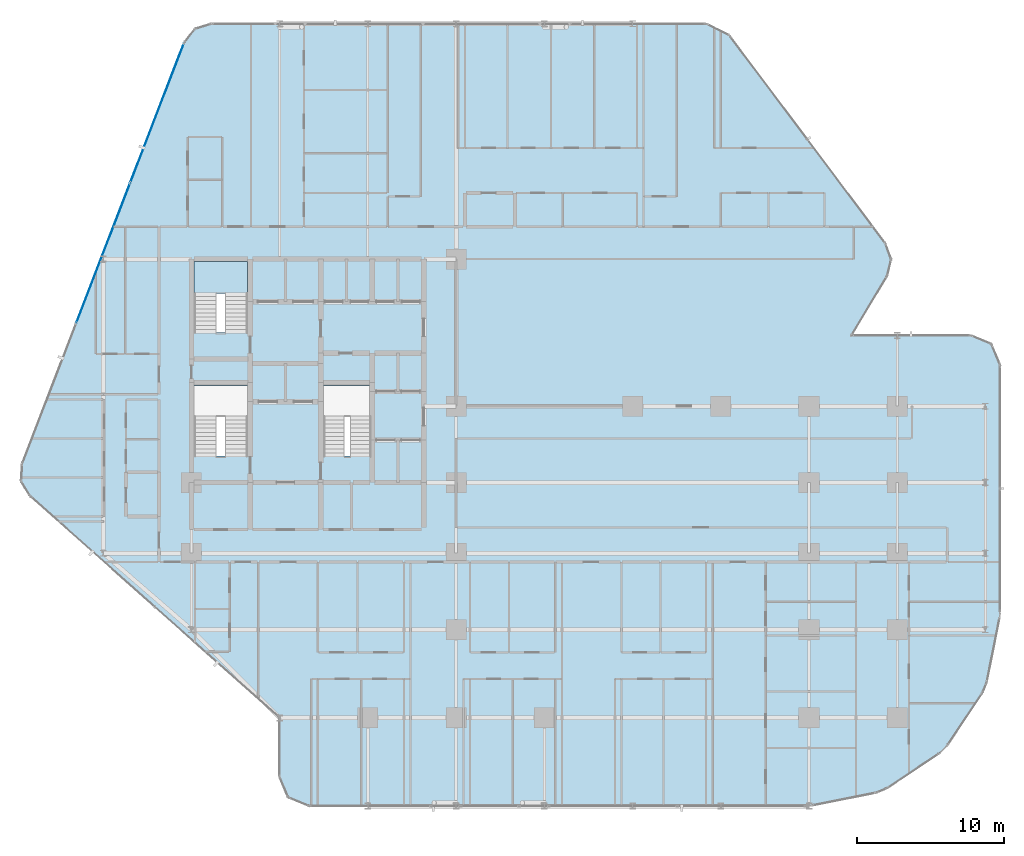
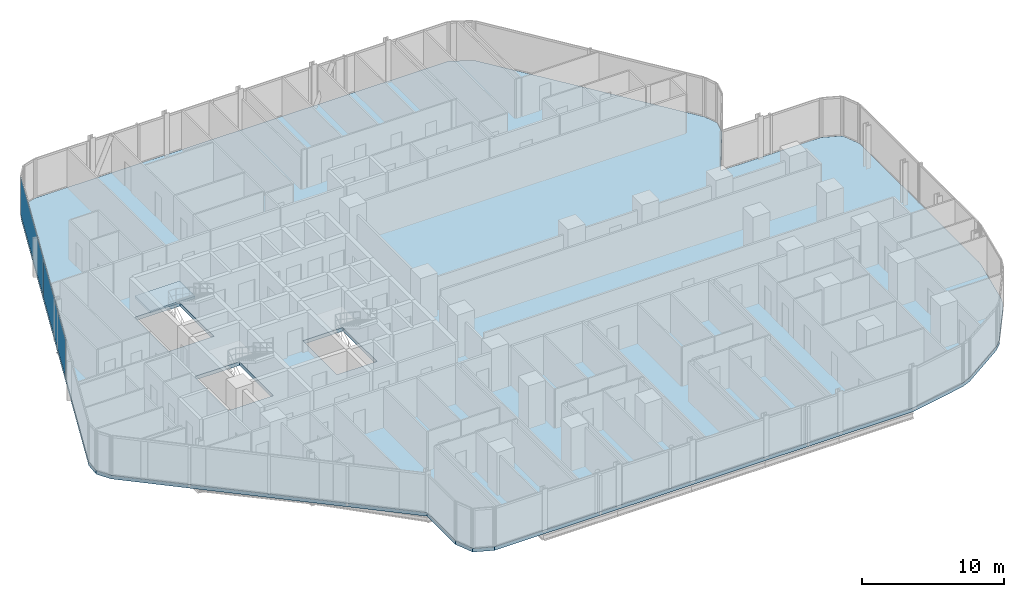
# One storey, part 23 of 34: 2 plates, 2 slabs, 2 elements without a shape of their own.
"""IFC4 building model written with IfcOpenShell, lengths in metres."""

from ifc_helpers import new_model, si_unit, direction, frame, origin, origin_2d, place, context, subcontext, project, spatial, polyline, rectangle, outline, extrude, material, layer, layer_set, type_object, element, aggregate, save


model = new_model("IFC4")

# Units and contexts
model_context = context("Model", 3, precision=1e-05, world=origin(), true_north=direction((0.0, 1.0)))
body_context = subcontext(model_context, "Body", "Model", "MODEL_VIEW")
ifc_project = project(units=[si_unit("LENGTHUNIT", "METRE"), si_unit("AREAUNIT", "SQUARE_METRE"), si_unit("VOLUMEUNIT", "CUBIC_METRE"), si_unit("PLANEANGLEUNIT", "RADIAN"), si_unit("MASSUNIT", "GRAM", prefix="KILO")], contexts=[model_context])

# Site, building, storey
site_placement = place(None, origin())
site = spatial("IfcSite", under=ifc_project, at=site_placement, CompositionType="ELEMENT")
building_placement = place(site_placement, origin())
building = spatial("IfcBuilding", under=site, at=building_placement, Name="Keshet Zoharim Tower", CompositionType="ELEMENT")
storey_placement = place(building_placement, frame((0.0, 0.0, 31.39990234375)))
storey = spatial("IfcBuildingStorey", under=building, at=storey_placement, Name="L06", CompositionType="ELEMENT", Elevation=31.39990234375)

# Curtain wall, plates
ifc_material_1 = material(Name="Aluminium 6063-T6", Category="aluminium")
ifc_layer_1 = layer(ifc_material_1, 0.179931640625)
ifc_layer_set_1 = layer_set([ifc_layer_1], Name="Aluminium 6063-T6")
curtain_wall_type = type_object("IfcCurtainWallType", Name="CW-SYS-01", PredefinedType="NOTDEFINED", material=ifc_layer_set_1)
curtain_wall_placement = place(storey_placement, origin())
curtain_wall = element("IfcCurtainWall", 1, at=curtain_wall_placement, inside=storey, type_object=curtain_wall_type, Name="L06 Unitised Curtain Wall 04", PredefinedType="NOTDEFINED")
ifc_material_2 = material(Name="Insulated Low-E Clear Glass", Category="glass")
ifc_layer_2 = layer(ifc_material_2, 0.035888671875)
ifc_layer_set_2 = layer_set([ifc_layer_2], Name="Insulated Low-E Clear Glass")
plate_type = type_object("IfcPlateType", Name="CWP-01", PredefinedType="CURTAIN_PANEL", material=ifc_layer_set_2)
plate_1_placement = place(storey_placement, frame((9.001953125, 38.305419921875, 0.070068359375), z_axis=(0.0, 0.0, 1.0), x_axis=(0.358990003907, 0.933341404361, 0.0)))
plate_1 = element("IfcPlate", 2, at=plate_1_placement, type_object=plate_type, Name="CW-01 panel 2.1", PredefinedType="CURTAIN_PANEL", context=body_context, shape_type="SweptSolid", body=[
    extrude(rectangle(XDim=10.153076171875, YDim=0.035888671875, at=origin_2d()), origin(), (0.0, 0.0, 1.0), 3.2451171875),
])
plate_2_placement = place(storey_placement, frame((12.665771484375, 47.830810546875, 0.070068359375), z_axis=(0.0, 0.0, 1.0), x_axis=(0.358990003907, 0.933341404361, 0.0)))
plate_2 = element("IfcPlate", 3, at=plate_2_placement, type_object=plate_type, Name="CW-01 panel 3.1", PredefinedType="CURTAIN_PANEL", context=body_context, shape_type="SweptSolid", body=[
    extrude(rectangle(XDim=10.1181640625, YDim=0.035888671875, at=origin_2d()), origin(), (0.0, 0.0, 1.0), 3.2451171875),
])
aggregate(curtain_wall, [plate_1, plate_2])

# Stair, slab
ifc_material_3 = material(Name="Concrete C50/60", Category="concrete")
stair_type = type_object("IfcStairType", Name="STR-EXIT-135", PredefinedType="HALF_TURN_STAIR", material=ifc_material_3)
stair_placement = place(storey_placement, origin())
stair = element("IfcStair", 4, at=stair_placement, inside=storey, type_object=stair_type, Name="L06 Enclosed Exit Stair ST-02", PredefinedType="HALF_TURN_STAIR")
ifc_layer_3 = layer(ifc_material_3, 0.199951171875)
ifc_layer_set_3 = layer_set([ifc_layer_3], Name="Concrete C50/60")
slab_type_1 = type_object("IfcSlabType", Name="SLB-LND-200", PredefinedType="LANDING", material=ifc_layer_set_3)
slab_1_placement = place(storey_placement, frame((0.0, 0.0, 1.650146484375)))
slab_1 = element("IfcSlab", 5, at=slab_1_placement, type_object=slab_type_1, Name="ST-02 landing 1", PredefinedType="LANDING", context=body_context, shape_type="SweptSolid", body=[
    extrude(outline(polyline([(15.179931640625, 35.56005859375), (18.820068359375, 35.56005859375), (18.820068359375, 37.719970703125), (15.179931640625, 37.719970703125), (15.179931640625, 35.56005859375)])), origin(), (0.0, 0.0, 1.0), 0.199951171875),
])
aggregate(stair, [slab_1])

# Slab
ifc_layer_4 = layer(ifc_material_3, 0.31494140625)
ifc_layer_set_4 = layer_set([ifc_layer_4], Name="Concrete C50/60")
slab_type_2 = type_object("IfcSlabType", Name="SLB-LOW-260", PredefinedType="FLOOR", material=ifc_layer_set_4)
slab_2_placement = place(storey_placement, frame((0.0, 0.0, -0.31494140625)))
element("IfcSlab", 6, at=slab_2_placement, inside=storey, type_object=slab_type_2, Name="L06 Structural Floor Slab 1", PredefinedType="FLOOR", context=body_context, shape_type="SweptSolid", body=[
    extrude(outline(polyline([(21.0, 6.699951171875), (4.034912109375, 21.780029296875), (3.419921875, 22.802001953125), (3.4970703125, 23.992919921875), (14.507080078125, 52.617919921875), (15.240966796875, 53.549072265625), (16.3740234375, 53.89990234375), (50.0, 53.89990234375), (51.60009765625, 53.10009765625), (62.193115234375, 38.97607421875), (62.590087890625, 37.87890625), (62.30810546875, 36.7470703125), (59.8798828125, 32.699951171875), (68.0, 32.699951171875), (69.4140625, 32.114013671875), (70.0, 30.699951171875), (70.0, 13.89697265625), (69.9619140625, 13.507080078125), (69.087890625, 9.114990234375), (68.7890625, 8.39404296875), (66.4130859375, 4.837890625), (65.862060546875, 4.287109375), (62.305908203125, 1.910888671875), (61.5849609375, 1.612060546875), (57.193115234375, 0.738037109375), (56.802978515625, 0.699951171875), (23.0, 0.699951171875), (21.5859375, 1.285888671875), (21.0, 2.699951171875), (21.0, 6.699951171875)]), holes=[polyline([(15.179931640625, 24.52001953125), (18.820068359375, 24.52001953125), (18.820068359375, 29.320068359375), (15.179931640625, 29.320068359375), (15.179931640625, 24.52001953125)]), polyline([(15.179931640625, 32.919921875), (18.820068359375, 32.919921875), (18.820068359375, 37.719970703125), (15.179931640625, 37.719970703125), (15.179931640625, 32.919921875)]), polyline([(23.97998046875, 24.52001953125), (27.219970703125, 24.52001953125), (27.219970703125, 29.320068359375), (23.97998046875, 29.320068359375), (23.97998046875, 24.52001953125)])]), origin(), (0.0, 0.0, 1.0), 0.31494140625),
])

save(model, "model.ifc")
